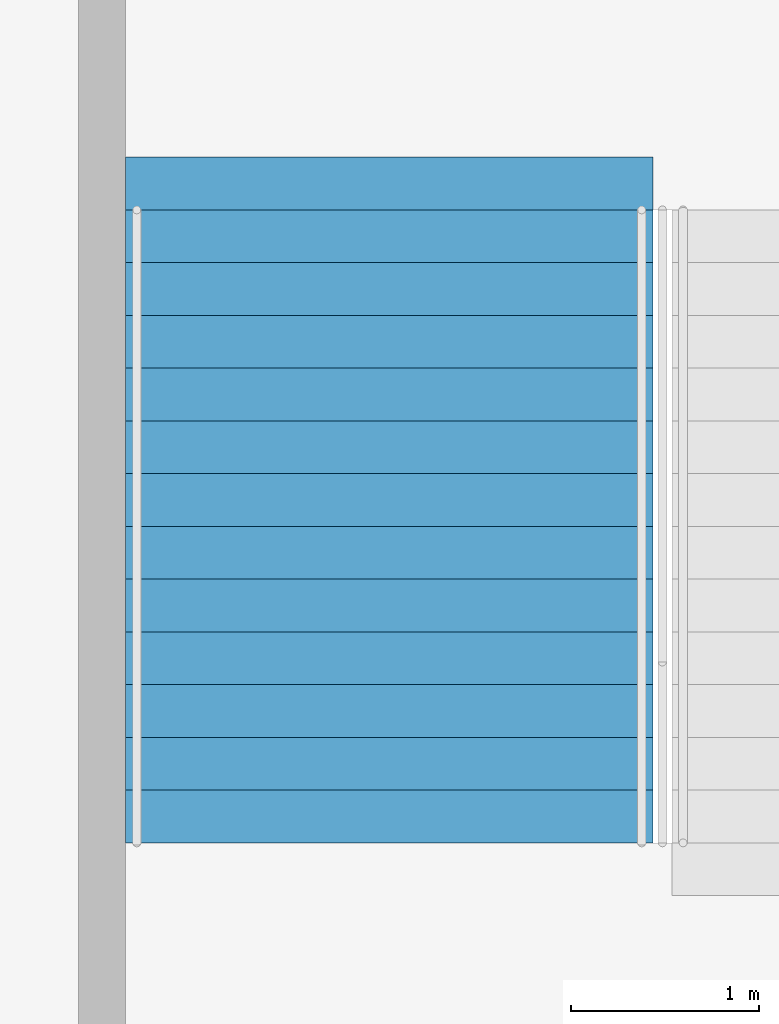
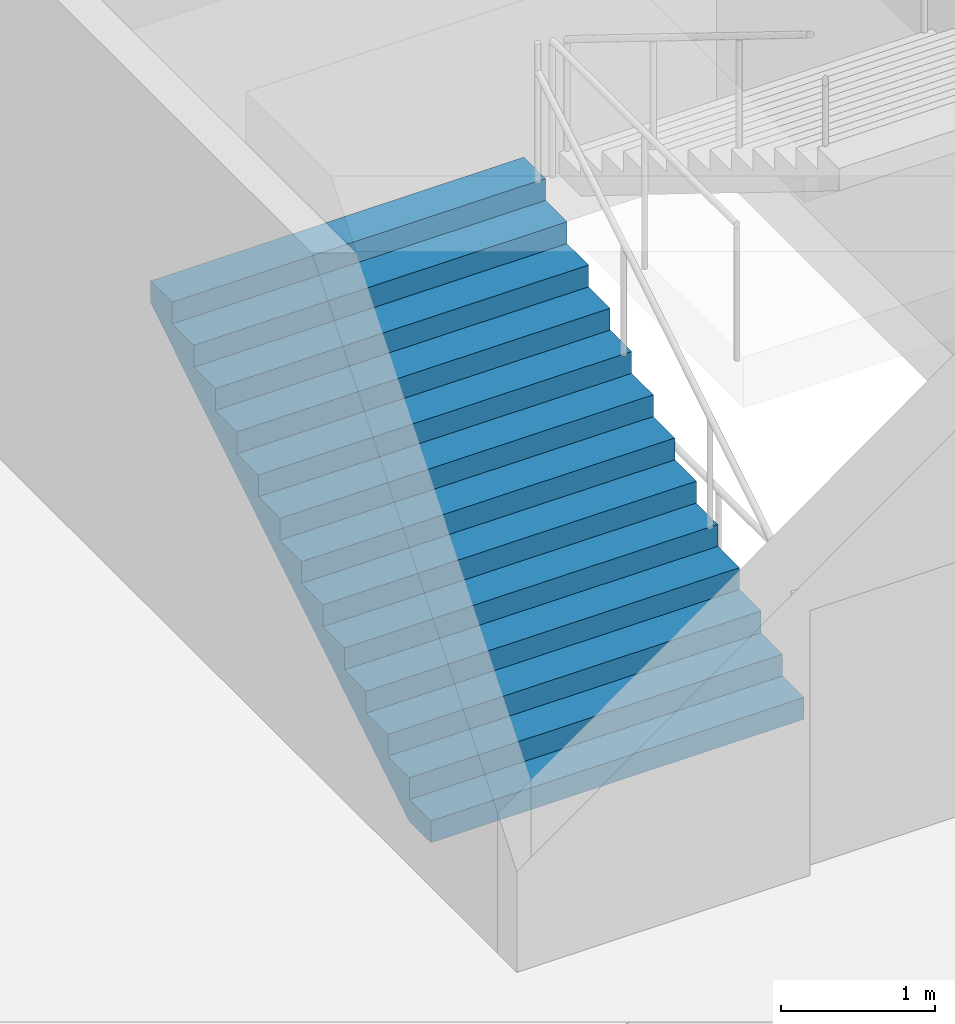
# One storey, part 166 of 199: 1 stair flight, 1 element without a shape of its own.
"""IFC4 building model written with IfcOpenShell, lengths in metres."""

from ifc_helpers import new_model, si_unit, direction, frame, origin, place, context, subcontext, project, spatial, faceted_brep, material, type_object, element, aggregate, save


model = new_model("IFC4")

# Units and contexts
model_context = context("Model", 3, precision=1e-05, world=origin(), true_north=direction((0.0, 1.0)))
body_context = subcontext(model_context, "Body", "Model", "MODEL_VIEW")
ifc_project = project(units=[si_unit("LENGTHUNIT", "METRE"), si_unit("AREAUNIT", "SQUARE_METRE"), si_unit("VOLUMEUNIT", "CUBIC_METRE"), si_unit("PLANEANGLEUNIT", "RADIAN"), si_unit("MASSUNIT", "GRAM", prefix="KILO")], contexts=[model_context])

# Site, building, storey
site_placement = place(None, origin())
site = spatial("IfcSite", under=ifc_project, at=site_placement, CompositionType="ELEMENT")
building_placement = place(site_placement, origin())
building = spatial("IfcBuilding", under=site, at=building_placement, Name="Ogive Plaza Stadium", CompositionType="ELEMENT")
storey_placement = place(building_placement, frame((0.0, 0.0, 4.5)))
storey = spatial("IfcBuildingStorey", under=building, at=storey_placement, Name="L01", CompositionType="ELEMENT", Elevation=4.5)

# Stair, stair flight
ifc_material_1 = material(Name="Concrete C40/50", Category="concrete")
stair_type = type_object("IfcStairType", Name="Exit stair", PredefinedType="STRAIGHT_RUN_STAIR", material=ifc_material_1)
stair_placement = place(storey_placement, origin())
stair = element("IfcStair", 1, at=stair_placement, inside=storey, type_object=stair_type, Name="Exit stair ST34B L01 to L02", PredefinedType="STRAIGHT_RUN_STAIR")
ifc_material_2 = material(Name="Concrete C40/50", Category="concrete")
stair_flight_type = type_object("IfcStairFlightType", Name="Exit stair flight", PredefinedType="STRAIGHT", material=ifc_material_2)
stair_flight_placement = place(storey_placement, frame((-11.22509765625, 94.85009765625, 0.0), z_axis=(0.0, 0.0, 1.0), x_axis=(0.0, 1.0, 0.0)))
stair_flight = element("IfcStairFlight", 2, at=stair_flight_placement, type_object=stair_flight_type, Name="ST34B flight 1", NumberOfRisers=13, NumberOfTreads=12, PredefinedType="STRAIGHT", RiserHeight=0.173076923, TreadLength=0.28, context=body_context, shape_type="Brep", body=[
    faceted_brep([(0.28515625, -1.39990234375, 0.0), (3.639892578125, -1.39990234375, 2.07373046875), (3.639892578125, -1.39990234375, 2.25), (3.360107421875, -1.39990234375, 2.25), (3.360107421875, -1.39990234375, 2.076904296875), (3.080078125, -1.39990234375, 2.076904296875), (3.080078125, -1.39990234375, 1.90380859375), (2.800048828125, -1.39990234375, 1.90380859375), (2.800048828125, -1.39990234375, 1.730712890625), (2.52001953125, -1.39990234375, 1.730712890625), (2.52001953125, -1.39990234375, 1.5576171875), (2.239990234375, -1.39990234375, 1.5576171875), (2.239990234375, -1.39990234375, 1.384521484375), (1.9599609375, -1.39990234375, 1.384521484375), (1.9599609375, -1.39990234375, 1.21142578125), (1.679931640625, -1.39990234375, 1.21142578125), (1.679931640625, -1.39990234375, 1.03857421875), (1.39990234375, -1.39990234375, 1.03857421875), (1.39990234375, -1.39990234375, 0.865478515625), (1.1201171875, -1.39990234375, 0.865478515625), (1.1201171875, -1.39990234375, 0.6923828125), (0.840087890625, -1.39990234375, 0.6923828125), (0.840087890625, -1.39990234375, 0.519287109375), (0.56005859375, -1.39990234375, 0.519287109375), (0.56005859375, -1.39990234375, 0.34619140625), (0.280029296875, -1.39990234375, 0.34619140625), (0.280029296875, -1.39990234375, 0.173095703125), (0.0, -1.39990234375, 0.173095703125), (0.0, -1.39990234375, 0.0), (0.0, 1.39990234375, 0.0), (0.0, 1.39990234375, 0.173095703125), (0.280029296875, 1.39990234375, 0.173095703125), (0.280029296875, 1.39990234375, 0.34619140625), (0.56005859375, 1.39990234375, 0.34619140625), (0.56005859375, 1.39990234375, 0.519287109375), (0.840087890625, 1.39990234375, 0.519287109375), (0.840087890625, 1.39990234375, 0.6923828125), (1.1201171875, 1.39990234375, 0.6923828125), (1.1201171875, 1.39990234375, 0.865478515625), (1.39990234375, 1.39990234375, 0.865478515625), (1.39990234375, 1.39990234375, 1.03857421875), (1.679931640625, 1.39990234375, 1.03857421875), (1.679931640625, 1.39990234375, 1.21142578125), (1.9599609375, 1.39990234375, 1.21142578125), (1.9599609375, 1.39990234375, 1.384521484375), (2.239990234375, 1.39990234375, 1.384521484375), (2.239990234375, 1.39990234375, 1.5576171875), (2.52001953125, 1.39990234375, 1.5576171875), (2.52001953125, 1.39990234375, 1.730712890625), (2.800048828125, 1.39990234375, 1.730712890625), (2.800048828125, 1.39990234375, 1.90380859375), (3.080078125, 1.39990234375, 1.90380859375), (3.080078125, 1.39990234375, 2.076904296875), (3.360107421875, 1.39990234375, 2.076904296875), (3.360107421875, 1.39990234375, 2.25), (3.639892578125, 1.39990234375, 2.25), (3.639892578125, 1.39990234375, 2.07373046875), (0.28515625, 1.39990234375, 0.0), (0.28515625, -1.0888671875, 0.0), (3.639892578125, -1.0888671875, 2.07373046875), (0.28515625, -0.77783203125, 0.0), (3.639892578125, -0.77783203125, 2.07373046875), (0.28515625, -0.466796875, 0.0), (3.639892578125, -0.466796875, 2.07373046875), (0.28515625, -0.155517578125, 0.0), (3.639892578125, -0.155517578125, 2.07373046875), (0.28515625, 0.155517578125, 0.0), (3.639892578125, 0.155517578125, 2.07373046875), (0.28515625, 0.466796875, 0.0), (3.639892578125, 0.466796875, 2.07373046875), (0.28515625, 0.77783203125, 0.0), (3.639892578125, 0.77783203125, 2.07373046875), (0.28515625, 1.0888671875, 0.0), (3.639892578125, 1.0888671875, 2.07373046875), (3.639892578125, -1.0888671875, 2.25), (3.639892578125, -0.77783203125, 2.25), (3.639892578125, -0.466796875, 2.25), (3.639892578125, -0.155517578125, 2.25), (3.639892578125, 0.155517578125, 2.25), (3.639892578125, 0.466796875, 2.25), (3.639892578125, 0.77783203125, 2.25), (3.639892578125, 1.0888671875, 2.25), (3.360107421875, -1.0888671875, 2.25), (3.360107421875, -0.77783203125, 2.25), (3.360107421875, -0.466796875, 2.25), (3.360107421875, -0.155517578125, 2.25), (3.360107421875, 0.155517578125, 2.25), (3.360107421875, 0.466796875, 2.25), (3.360107421875, 0.77783203125, 2.25), (3.360107421875, 1.0888671875, 2.25), (3.360107421875, -1.0888671875, 2.076904296875), (3.360107421875, -0.77783203125, 2.076904296875), (3.360107421875, -0.466796875, 2.076904296875), (3.360107421875, -0.155517578125, 2.076904296875), (3.360107421875, 0.155517578125, 2.076904296875), (3.360107421875, 0.466796875, 2.076904296875), (3.360107421875, 0.77783203125, 2.076904296875), (3.360107421875, 1.0888671875, 2.076904296875), (3.080078125, -1.0888671875, 2.076904296875), (3.080078125, -0.77783203125, 2.076904296875), (3.080078125, -0.466796875, 2.076904296875), (3.080078125, -0.155517578125, 2.076904296875), (3.080078125, 0.155517578125, 2.076904296875), (3.080078125, 0.466796875, 2.076904296875), (3.080078125, 0.77783203125, 2.076904296875), (3.080078125, 1.0888671875, 2.076904296875), (3.080078125, -1.0888671875, 1.90380859375), (3.080078125, -0.77783203125, 1.90380859375), (3.080078125, -0.466796875, 1.90380859375), (3.080078125, -0.155517578125, 1.90380859375), (3.080078125, 0.155517578125, 1.90380859375), (3.080078125, 0.466796875, 1.90380859375), (3.080078125, 0.77783203125, 1.90380859375), (3.080078125, 1.0888671875, 1.90380859375), (2.800048828125, -1.0888671875, 1.90380859375), (2.800048828125, -0.77783203125, 1.90380859375), (2.800048828125, -0.466796875, 1.90380859375), (2.800048828125, -0.155517578125, 1.90380859375), (2.800048828125, 0.155517578125, 1.90380859375), (2.800048828125, 0.466796875, 1.90380859375), (2.800048828125, 0.77783203125, 1.90380859375), (2.800048828125, 1.0888671875, 1.90380859375), (2.800048828125, -1.0888671875, 1.730712890625), (2.800048828125, -0.77783203125, 1.730712890625), (2.800048828125, -0.466796875, 1.730712890625), (2.800048828125, -0.155517578125, 1.730712890625), (2.800048828125, 0.155517578125, 1.730712890625), (2.800048828125, 0.466796875, 1.730712890625), (2.800048828125, 0.77783203125, 1.730712890625), (2.800048828125, 1.0888671875, 1.730712890625), (2.52001953125, -1.0888671875, 1.730712890625), (2.52001953125, -0.77783203125, 1.730712890625), (2.52001953125, -0.466796875, 1.730712890625), (2.52001953125, -0.155517578125, 1.730712890625), (2.52001953125, 0.155517578125, 1.730712890625), (2.52001953125, 0.466796875, 1.730712890625), (2.52001953125, 0.77783203125, 1.730712890625), (2.52001953125, 1.0888671875, 1.730712890625), (2.52001953125, -1.0888671875, 1.5576171875), (2.52001953125, -0.77783203125, 1.5576171875), (2.52001953125, -0.466796875, 1.5576171875), (2.52001953125, -0.155517578125, 1.5576171875), (2.52001953125, 0.155517578125, 1.5576171875), (2.52001953125, 0.466796875, 1.5576171875), (2.52001953125, 0.77783203125, 1.5576171875), (2.52001953125, 1.0888671875, 1.5576171875), (2.239990234375, -1.0888671875, 1.5576171875), (2.239990234375, -0.77783203125, 1.5576171875), (2.239990234375, -0.466796875, 1.5576171875), (2.239990234375, -0.155517578125, 1.5576171875), (2.239990234375, 0.155517578125, 1.5576171875), (2.239990234375, 0.466796875, 1.5576171875), (2.239990234375, 0.77783203125, 1.5576171875), (2.239990234375, 1.0888671875, 1.5576171875), (2.239990234375, -1.0888671875, 1.384521484375), (2.239990234375, -0.77783203125, 1.384521484375), (2.239990234375, -0.466796875, 1.384521484375), (2.239990234375, -0.155517578125, 1.384521484375), (2.239990234375, 0.155517578125, 1.384521484375), (2.239990234375, 0.466796875, 1.384521484375), (2.239990234375, 0.77783203125, 1.384521484375), (2.239990234375, 1.0888671875, 1.384521484375), (1.9599609375, -1.0888671875, 1.384521484375), (1.9599609375, -0.77783203125, 1.384521484375), (1.9599609375, -0.466796875, 1.384521484375), (1.9599609375, -0.155517578125, 1.384521484375), (1.9599609375, 0.155517578125, 1.384521484375), (1.9599609375, 0.466796875, 1.384521484375), (1.9599609375, 0.77783203125, 1.384521484375), (1.9599609375, 1.0888671875, 1.384521484375), (1.9599609375, -1.0888671875, 1.21142578125), (1.9599609375, -0.77783203125, 1.21142578125), (1.9599609375, -0.466796875, 1.21142578125), (1.9599609375, -0.155517578125, 1.21142578125), (1.9599609375, 0.155517578125, 1.21142578125), (1.9599609375, 0.466796875, 1.21142578125), (1.9599609375, 0.77783203125, 1.21142578125), (1.9599609375, 1.0888671875, 1.21142578125), (1.679931640625, -1.0888671875, 1.21142578125), (1.679931640625, -0.77783203125, 1.21142578125), (1.679931640625, -0.466796875, 1.21142578125), (1.679931640625, -0.155517578125, 1.21142578125), (1.679931640625, 0.155517578125, 1.21142578125), (1.679931640625, 0.466796875, 1.21142578125), (1.679931640625, 0.77783203125, 1.21142578125), (1.679931640625, 1.0888671875, 1.21142578125), (1.679931640625, -1.0888671875, 1.03857421875), (1.679931640625, -0.77783203125, 1.03857421875), (1.679931640625, -0.466796875, 1.03857421875), (1.679931640625, -0.155517578125, 1.03857421875), (1.679931640625, 0.155517578125, 1.03857421875), (1.679931640625, 0.466796875, 1.03857421875), (1.679931640625, 0.77783203125, 1.03857421875), (1.679931640625, 1.0888671875, 1.03857421875), (1.39990234375, -1.0888671875, 1.03857421875), (1.39990234375, -0.77783203125, 1.03857421875), (1.39990234375, -0.466796875, 1.03857421875), (1.39990234375, -0.155517578125, 1.03857421875), (1.39990234375, 0.155517578125, 1.03857421875), (1.39990234375, 0.466796875, 1.03857421875), (1.39990234375, 0.77783203125, 1.03857421875), (1.39990234375, 1.0888671875, 1.03857421875), (1.39990234375, -1.0888671875, 0.865478515625), (1.39990234375, -0.77783203125, 0.865478515625), (1.39990234375, -0.466796875, 0.865478515625), (1.39990234375, -0.155517578125, 0.865478515625), (1.39990234375, 0.155517578125, 0.865478515625), (1.39990234375, 0.466796875, 0.865478515625), (1.39990234375, 0.77783203125, 0.865478515625), (1.39990234375, 1.0888671875, 0.865478515625), (1.1201171875, -1.0888671875, 0.865478515625), (1.1201171875, -0.77783203125, 0.865478515625), (1.1201171875, -0.466796875, 0.865478515625), (1.1201171875, -0.155517578125, 0.865478515625), (1.1201171875, 0.155517578125, 0.865478515625), (1.1201171875, 0.466796875, 0.865478515625), (1.1201171875, 0.77783203125, 0.865478515625), (1.1201171875, 1.0888671875, 0.865478515625), (1.1201171875, -1.0888671875, 0.6923828125), (1.1201171875, -0.77783203125, 0.6923828125), (1.1201171875, -0.466796875, 0.6923828125), (1.1201171875, -0.155517578125, 0.6923828125), (1.1201171875, 0.155517578125, 0.6923828125), (1.1201171875, 0.466796875, 0.6923828125), (1.1201171875, 0.77783203125, 0.6923828125), (1.1201171875, 1.0888671875, 0.6923828125), (0.840087890625, -1.0888671875, 0.6923828125), (0.840087890625, -0.77783203125, 0.6923828125), (0.840087890625, -0.466796875, 0.6923828125), (0.840087890625, -0.155517578125, 0.6923828125), (0.840087890625, 0.155517578125, 0.6923828125), (0.840087890625, 0.466796875, 0.6923828125), (0.840087890625, 0.77783203125, 0.6923828125), (0.840087890625, 1.0888671875, 0.6923828125), (0.840087890625, -1.0888671875, 0.519287109375), (0.840087890625, -0.77783203125, 0.519287109375), (0.840087890625, -0.466796875, 0.519287109375), (0.840087890625, -0.155517578125, 0.519287109375), (0.840087890625, 0.155517578125, 0.519287109375), (0.840087890625, 0.466796875, 0.519287109375), (0.840087890625, 0.77783203125, 0.519287109375), (0.840087890625, 1.0888671875, 0.519287109375), (0.56005859375, -1.0888671875, 0.519287109375), (0.56005859375, -0.77783203125, 0.519287109375), (0.56005859375, -0.466796875, 0.519287109375), (0.56005859375, -0.155517578125, 0.519287109375), (0.56005859375, 0.155517578125, 0.519287109375), (0.56005859375, 0.466796875, 0.519287109375), (0.56005859375, 0.77783203125, 0.519287109375), (0.56005859375, 1.0888671875, 0.519287109375), (0.56005859375, -1.0888671875, 0.34619140625), (0.56005859375, -0.77783203125, 0.34619140625), (0.56005859375, -0.466796875, 0.34619140625), (0.56005859375, -0.155517578125, 0.34619140625), (0.56005859375, 0.155517578125, 0.34619140625), (0.56005859375, 0.466796875, 0.34619140625), (0.56005859375, 0.77783203125, 0.34619140625), (0.56005859375, 1.0888671875, 0.34619140625), (0.280029296875, -1.0888671875, 0.34619140625), (0.280029296875, -0.77783203125, 0.34619140625), (0.280029296875, -0.466796875, 0.34619140625), (0.280029296875, -0.155517578125, 0.34619140625), (0.280029296875, 0.155517578125, 0.34619140625), (0.280029296875, 0.466796875, 0.34619140625), (0.280029296875, 0.77783203125, 0.34619140625), (0.280029296875, 1.0888671875, 0.34619140625), (0.280029296875, -1.0888671875, 0.173095703125), (0.280029296875, -0.77783203125, 0.173095703125), (0.280029296875, -0.466796875, 0.173095703125), (0.280029296875, -0.155517578125, 0.173095703125), (0.280029296875, 0.155517578125, 0.173095703125), (0.280029296875, 0.466796875, 0.173095703125), (0.280029296875, 0.77783203125, 0.173095703125), (0.280029296875, 1.0888671875, 0.173095703125), (0.0, -1.0888671875, 0.173095703125), (0.0, -0.77783203125, 0.173095703125), (0.0, -0.466796875, 0.173095703125), (0.0, -0.155517578125, 0.173095703125), (0.0, 0.155517578125, 0.173095703125), (0.0, 0.466796875, 0.173095703125), (0.0, 0.77783203125, 0.173095703125), (0.0, 1.0888671875, 0.173095703125), (0.0, -1.0888671875, 0.0), (0.0, -0.77783203125, 0.0), (0.0, -0.466796875, 0.0), (0.0, -0.155517578125, 0.0), (0.0, 0.155517578125, 0.0), (0.0, 0.466796875, 0.0), (0.0, 0.77783203125, 0.0), (0.0, 1.0888671875, 0.0)], [[[0, 1, 2, 3, 4, 5, 6, 7, 8, 9, 10, 11, 12, 13, 14, 15, 16, 17, 18, 19, 20, 21, 22, 23, 24, 25, 26, 27, 28]], [[29, 30, 31, 32, 33, 34, 35, 36, 37, 38, 39, 40, 41, 42, 43, 44, 45, 46, 47, 48, 49, 50, 51, 52, 53, 54, 55, 56, 57]], [[0, 58, 59, 1]], [[58, 60, 61, 59]], [[60, 62, 63, 61]], [[62, 64, 65, 63]], [[64, 66, 67, 65]], [[66, 68, 69, 67]], [[68, 70, 71, 69]], [[70, 72, 73, 71]], [[72, 57, 56, 73]], [[1, 59, 74, 2]], [[59, 61, 75, 74]], [[61, 63, 76, 75]], [[63, 65, 77, 76]], [[65, 67, 78, 77]], [[67, 69, 79, 78]], [[69, 71, 80, 79]], [[71, 73, 81, 80]], [[73, 56, 55, 81]], [[2, 74, 82, 3]], [[74, 75, 83, 82]], [[75, 76, 84, 83]], [[76, 77, 85, 84]], [[77, 78, 86, 85]], [[78, 79, 87, 86]], [[79, 80, 88, 87]], [[80, 81, 89, 88]], [[81, 55, 54, 89]], [[3, 82, 90, 4]], [[82, 83, 91, 90]], [[83, 84, 92, 91]], [[84, 85, 93, 92]], [[85, 86, 94, 93]], [[86, 87, 95, 94]], [[87, 88, 96, 95]], [[88, 89, 97, 96]], [[89, 54, 53, 97]], [[4, 90, 98, 5]], [[90, 91, 99, 98]], [[91, 92, 100, 99]], [[92, 93, 101, 100]], [[93, 94, 102, 101]], [[94, 95, 103, 102]], [[95, 96, 104, 103]], [[96, 97, 105, 104]], [[97, 53, 52, 105]], [[5, 98, 106, 6]], [[98, 99, 107, 106]], [[99, 100, 108, 107]], [[100, 101, 109, 108]], [[101, 102, 110, 109]], [[102, 103, 111, 110]], [[103, 104, 112, 111]], [[104, 105, 113, 112]], [[105, 52, 51, 113]], [[6, 106, 114, 7]], [[106, 107, 115, 114]], [[107, 108, 116, 115]], [[108, 109, 117, 116]], [[109, 110, 118, 117]], [[110, 111, 119, 118]], [[111, 112, 120, 119]], [[112, 113, 121, 120]], [[113, 51, 50, 121]], [[7, 114, 122, 8]], [[114, 115, 123, 122]], [[115, 116, 124, 123]], [[116, 117, 125, 124]], [[117, 118, 126, 125]], [[118, 119, 127, 126]], [[119, 120, 128, 127]], [[120, 121, 129, 128]], [[121, 50, 49, 129]], [[8, 122, 130, 9]], [[122, 123, 131, 130]], [[123, 124, 132, 131]], [[124, 125, 133, 132]], [[125, 126, 134, 133]], [[126, 127, 135, 134]], [[127, 128, 136, 135]], [[128, 129, 137, 136]], [[129, 49, 48, 137]], [[9, 130, 138, 10]], [[130, 131, 139, 138]], [[131, 132, 140, 139]], [[132, 133, 141, 140]], [[133, 134, 142, 141]], [[134, 135, 143, 142]], [[135, 136, 144, 143]], [[136, 137, 145, 144]], [[137, 48, 47, 145]], [[10, 138, 146, 11]], [[138, 139, 147, 146]], [[139, 140, 148, 147]], [[140, 141, 149, 148]], [[141, 142, 150, 149]], [[142, 143, 151, 150]], [[143, 144, 152, 151]], [[144, 145, 153, 152]], [[145, 47, 46, 153]], [[11, 146, 154, 12]], [[146, 147, 155, 154]], [[147, 148, 156, 155]], [[148, 149, 157, 156]], [[149, 150, 158, 157]], [[150, 151, 159, 158]], [[151, 152, 160, 159]], [[152, 153, 161, 160]], [[153, 46, 45, 161]], [[12, 154, 162, 13]], [[154, 155, 163, 162]], [[155, 156, 164, 163]], [[156, 157, 165, 164]], [[157, 158, 166, 165]], [[158, 159, 167, 166]], [[159, 160, 168, 167]], [[160, 161, 169, 168]], [[161, 45, 44, 169]], [[13, 162, 170, 14]], [[162, 163, 171, 170]], [[163, 164, 172, 171]], [[164, 165, 173, 172]], [[165, 166, 174, 173]], [[166, 167, 175, 174]], [[167, 168, 176, 175]], [[168, 169, 177, 176]], [[169, 44, 43, 177]], [[14, 170, 178, 15]], [[170, 171, 179, 178]], [[171, 172, 180, 179]], [[172, 173, 181, 180]], [[173, 174, 182, 181]], [[174, 175, 183, 182]], [[175, 176, 184, 183]], [[176, 177, 185, 184]], [[177, 43, 42, 185]], [[15, 178, 186, 16]], [[178, 179, 187, 186]], [[179, 180, 188, 187]], [[180, 181, 189, 188]], [[181, 182, 190, 189]], [[182, 183, 191, 190]], [[183, 184, 192, 191]], [[184, 185, 193, 192]], [[185, 42, 41, 193]], [[16, 186, 194, 17]], [[186, 187, 195, 194]], [[187, 188, 196, 195]], [[188, 189, 197, 196]], [[189, 190, 198, 197]], [[190, 191, 199, 198]], [[191, 192, 200, 199]], [[192, 193, 201, 200]], [[193, 41, 40, 201]], [[17, 194, 202, 18]], [[194, 195, 203, 202]], [[195, 196, 204, 203]], [[196, 197, 205, 204]], [[197, 198, 206, 205]], [[198, 199, 207, 206]], [[199, 200, 208, 207]], [[200, 201, 209, 208]], [[201, 40, 39, 209]], [[18, 202, 210, 19]], [[202, 203, 211, 210]], [[203, 204, 212, 211]], [[204, 205, 213, 212]], [[205, 206, 214, 213]], [[206, 207, 215, 214]], [[207, 208, 216, 215]], [[208, 209, 217, 216]], [[209, 39, 38, 217]], [[19, 210, 218, 20]], [[210, 211, 219, 218]], [[211, 212, 220, 219]], [[212, 213, 221, 220]], [[213, 214, 222, 221]], [[214, 215, 223, 222]], [[215, 216, 224, 223]], [[216, 217, 225, 224]], [[217, 38, 37, 225]], [[20, 218, 226, 21]], [[218, 219, 227, 226]], [[219, 220, 228, 227]], [[220, 221, 229, 228]], [[221, 222, 230, 229]], [[222, 223, 231, 230]], [[223, 224, 232, 231]], [[224, 225, 233, 232]], [[225, 37, 36, 233]], [[21, 226, 234, 22]], [[226, 227, 235, 234]], [[227, 228, 236, 235]], [[228, 229, 237, 236]], [[229, 230, 238, 237]], [[230, 231, 239, 238]], [[231, 232, 240, 239]], [[232, 233, 241, 240]], [[233, 36, 35, 241]], [[22, 234, 242, 23]], [[234, 235, 243, 242]], [[235, 236, 244, 243]], [[236, 237, 245, 244]], [[237, 238, 246, 245]], [[238, 239, 247, 246]], [[239, 240, 248, 247]], [[240, 241, 249, 248]], [[241, 35, 34, 249]], [[23, 242, 250, 24]], [[242, 243, 251, 250]], [[243, 244, 252, 251]], [[244, 245, 253, 252]], [[245, 246, 254, 253]], [[246, 247, 255, 254]], [[247, 248, 256, 255]], [[248, 249, 257, 256]], [[249, 34, 33, 257]], [[24, 250, 258, 25]], [[250, 251, 259, 258]], [[251, 252, 260, 259]], [[252, 253, 261, 260]], [[253, 254, 262, 261]], [[254, 255, 263, 262]], [[255, 256, 264, 263]], [[256, 257, 265, 264]], [[257, 33, 32, 265]], [[25, 258, 266, 26]], [[258, 259, 267, 266]], [[259, 260, 268, 267]], [[260, 261, 269, 268]], [[261, 262, 270, 269]], [[262, 263, 271, 270]], [[263, 264, 272, 271]], [[264, 265, 273, 272]], [[265, 32, 31, 273]], [[26, 266, 274, 27]], [[266, 267, 275, 274]], [[267, 268, 276, 275]], [[268, 269, 277, 276]], [[269, 270, 278, 277]], [[270, 271, 279, 278]], [[271, 272, 280, 279]], [[272, 273, 281, 280]], [[273, 31, 30, 281]], [[27, 274, 282, 28]], [[274, 275, 283, 282]], [[275, 276, 284, 283]], [[276, 277, 285, 284]], [[277, 278, 286, 285]], [[278, 279, 287, 286]], [[279, 280, 288, 287]], [[280, 281, 289, 288]], [[281, 30, 29, 289]], [[28, 282, 58, 0]], [[282, 283, 60, 58]], [[283, 284, 62, 60]], [[284, 285, 64, 62]], [[285, 286, 66, 64]], [[286, 287, 68, 66]], [[287, 288, 70, 68]], [[288, 289, 72, 70]], [[289, 29, 57, 72]]]),
])
aggregate(stair, [stair_flight])

save(model, "model.ifc")
